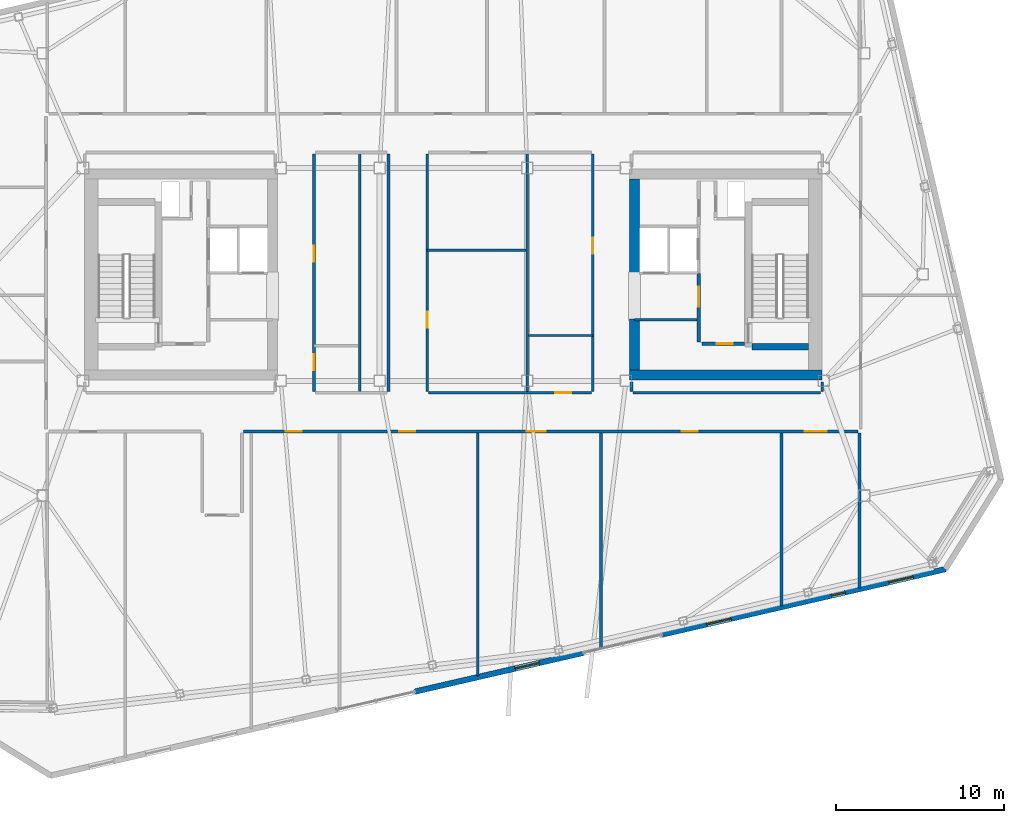
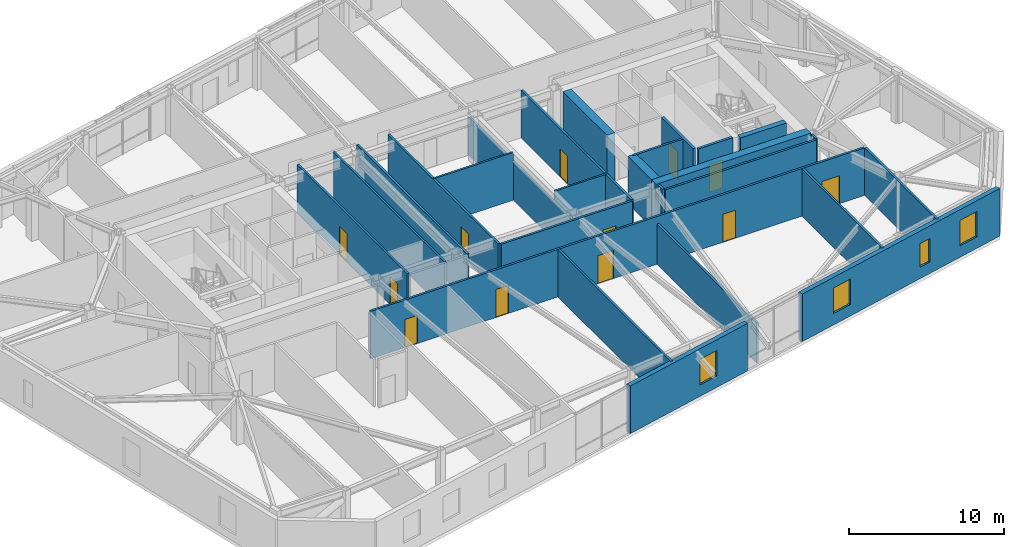
# One storey, part 17 of 24: 26 walls, 12 doors, 4 windows, 16 openings.
"""IFC4 building model written with IfcOpenShell, lengths in metres."""

from ifc_helpers import new_model, si_unit, direction, frame, frame_2d, origin, place, context, subcontext, project, spatial, rectangle, extrude, material, layer, layer_set, type_object, element, fill, save


model = new_model("IFC4")

# Units and contexts
model_context = context("Model", 3, precision=1e-05, world=origin(), true_north=direction((0.0, 1.0)))
body_context = subcontext(model_context, "Body", "Model", "MODEL_VIEW")
ifc_project = project(units=[si_unit("LENGTHUNIT", "METRE"), si_unit("AREAUNIT", "SQUARE_METRE"), si_unit("VOLUMEUNIT", "CUBIC_METRE"), si_unit("PLANEANGLEUNIT", "RADIAN"), si_unit("MASSUNIT", "GRAM", prefix="KILO")], contexts=[model_context])

# Site, building, storey
site_placement = place(None, origin())
site = spatial("IfcSite", under=ifc_project, at=site_placement, CompositionType="ELEMENT")
building_placement = place(site_placement, origin())
building = spatial("IfcBuilding", under=site, at=building_placement, Name="Tavrogorsk Clinical Tower", CompositionType="ELEMENT")
storey_placement = place(building_placement, frame((0.0, 0.0, 321.0)))
storey = spatial("IfcBuildingStorey", under=building, at=storey_placement, Name="L75", CompositionType="ELEMENT", Elevation=321.0)

# Wall, opening, door
ifc_material_1 = material(Name="Concrete B60", Category="concrete")
ifc_layer_1 = layer(ifc_material_1, 0.199951171875)
ifc_layer_set_1 = layer_set([ifc_layer_1], Name="Concrete B60")
wall_type_1 = type_object("IfcWallType", Name="CoreFireWall_200", PredefinedType="SOLIDWALL", material=ifc_layer_set_1)
wall_1_placement = place(storey_placement, frame((14.824951171875, -4.139892578125, 0.0), z_axis=(0.0, 0.0, 1.0), x_axis=(1.0, 0.0, 0.0)))
wall_1 = element("IfcWall", 1, at=wall_1_placement, inside=storey, type_object=wall_type_1, Name="L75 Core East South Core Room Fire Wall", PredefinedType="SOLIDWALL", context=body_context, shape_type="SweptSolid", body=[
    extrude(rectangle(XDim=2.554931640625, YDim=0.199951171875, at=frame_2d((1.27734375, 0.0))), origin(), (0.0, 0.0, 1.0), 3.739990234375),
])
opening_1_placement = place(wall_1_placement, frame((0.8798828125, 0.0, 0.0)))
opening_1 = element("IfcOpeningElement", 2, at=opening_1_placement, cuts=wall_1, Name="Opening ID-02", PredefinedType="OPENING", context=body_context, shape_type="SweptSolid", body=[
    extrude(rectangle(XDim=0.949951171875, YDim=2.199951171875, at=frame_2d((0.47509765625, 1.10009765625))), frame((0.0, 0.10986328125, 0.0), z_axis=(0.0, -1.0, 0.0), x_axis=(1.0, 0.0, 0.0)), (0.0, 0.0, 1.0), 0.219970703125),
])
ifc_material_2 = material(Name="Laminated timber leaf on aluminium frame", Category="wood")
door_type_1 = type_object("IfcDoorType", Name="InteriorDoor_ID02_950", OperationType="NOTDEFINED", PredefinedType="DOOR", material=ifc_material_2)
door_1_placement = place(opening_1_placement, origin())
door_1 = element("IfcDoor", 3, at=door_1_placement, inside=storey, type_object=door_type_1, Name="L75 Core East South Core Room Door", OperationType="SINGLE_SWING_RIGHT", OverallHeight=2.199951171875, OverallWidth=0.949951171875, PredefinedType="DOOR", context=body_context, shape_type="SweptSolid", body=[
    extrude(rectangle(XDim=0.949951171875, YDim=2.199951171875, at=frame_2d((0.47509765625, 1.10009765625))), frame((0.0, 0.02490234375, 0.0), z_axis=(0.0, -1.0, 0.0), x_axis=(1.0, 0.0, 0.0)), (0.0, 0.0, 1.0), 0.050048828125),
])
fill(opening_1, door_1)

wall_2_placement = place(storey_placement, frame((14.639892578125, -4.034912109375, 0.0), z_axis=(0.0, 0.0, 1.0), x_axis=(0.0, 1.0, 0.0)))
wall_2 = element("IfcWall", 4, at=wall_2_placement, inside=storey, type_object=wall_type_1, Name="L75 Core East Firefighting Lobby Fire Wall", PredefinedType="SOLIDWALL", context=body_context, shape_type="SweptSolid", body=[
    extrude(rectangle(XDim=4.074951171875, YDim=0.199951171875, at=frame_2d((2.03759765625, 0.0))), origin(), (0.0, 0.0, 1.0), 3.739990234375),
])
opening_2_placement = place(wall_2_placement, frame((2.090087890625, 0.0, 0.0)))
opening_2 = element("IfcOpeningElement", 5, at=opening_2_placement, cuts=wall_2, Name="Opening FD-01", PredefinedType="OPENING", context=body_context, shape_type="SweptSolid", body=[
    extrude(rectangle(XDim=1.199951171875, YDim=2.199951171875, at=frame_2d((0.60009765625, 1.10009765625))), frame((0.0, 0.10986328125, 0.0), z_axis=(0.0, -1.0, 0.0), x_axis=(1.0, 0.0, 0.0)), (0.0, 0.0, 1.0), 0.219970703125),
])
ifc_material_3 = material(Name="Galvanised steel fire-rated door assembly", Category="steel")
door_type_2 = type_object("IfcDoorType", Name="FireDoor_FD01_1200", OperationType="NOTDEFINED", PredefinedType="DOOR", material=ifc_material_3)
door_2_placement = place(opening_2_placement, origin())
door_2 = element("IfcDoor", 6, at=door_2_placement, inside=storey, type_object=door_type_2, Name="L75 Core East Firefighting Lobby Entry Door", OperationType="SINGLE_SWING_RIGHT", OverallHeight=2.199951171875, OverallWidth=1.199951171875, PredefinedType="DOOR", context=body_context, shape_type="SweptSolid", body=[
    extrude(rectangle(XDim=1.199951171875, YDim=2.199951171875, at=frame_2d((0.60009765625, 1.10009765625))), frame((0.0, 0.02490234375, 0.0), z_axis=(0.0, -1.0, 0.0), x_axis=(1.0, 0.0, 0.0)), (0.0, 0.0, 1.0), 0.050048828125),
])
fill(opening_2, door_2)

# Walls
ifc_material_4 = material(Name="Lightweight concrete blockwork B15", Category="masonry")
ifc_layer_2 = layer(ifc_material_4, 0.139892578125)
ifc_layer_set_2 = layer_set([ifc_layer_2], Name="Lightweight concrete blockwork B15")
wall_type_2 = type_object("IfcWallType", Name="PartitionWall_140", PredefinedType="PARTITIONING", material=ifc_layer_set_2)
wall_3_placement = place(storey_placement, frame((-5.60009765625, -7.06494140625, 0.0), z_axis=(0.0, 0.0, 1.0), x_axis=(0.0, 1.0, 0.0)))
element("IfcWall", 7, at=wall_3_placement, inside=storey, type_object=wall_type_2, Name="L75 Central Spine Partition 1", PredefinedType="PARTITIONING", context=body_context, shape_type="SweptSolid", body=[
    extrude(rectangle(XDim=14.329833984375, YDim=0.139892578125, at=frame_2d((7.1650390625, 0.0))), origin(), (0.0, 0.0, 1.0), 3.739990234375),
])
wall_4_placement = place(storey_placement, frame((4.39990234375, -7.06494140625, 0.0), z_axis=(0.0, 0.0, 1.0), x_axis=(0.0, 1.0, 0.0)))
element("IfcWall", 8, at=wall_4_placement, inside=storey, type_object=wall_type_2, Name="L75 Central Spine Partition 2", PredefinedType="PARTITIONING", context=body_context, shape_type="SweptSolid", body=[
    extrude(rectangle(XDim=14.329833984375, YDim=0.139892578125, at=frame_2d((7.1650390625, 0.0))), origin(), (0.0, 0.0, 1.0), 3.034912109375),
])
wall_5_placement = place(storey_placement, frame((-1.56494140625, 1.449951171875, 0.0), z_axis=(0.0, 0.0, 1.0), x_axis=(1.0, 0.0, 0.0)))
element("IfcWall", 9, at=wall_5_placement, inside=storey, type_object=wall_type_2, Name="L75 Central Spine Partition 3", PredefinedType="PARTITIONING", context=body_context, shape_type="SweptSolid", body=[
    extrude(rectangle(XDim=5.889892578125, YDim=0.139892578125, at=frame_2d((2.94482421875, 0.0))), origin(), (0.0, 0.0, 1.0), 3.739990234375),
])
wall_6_placement = place(storey_placement, frame((4.47509765625, -3.64990234375, 0.0), z_axis=(0.0, 0.0, 1.0), x_axis=(1.0, 0.0, 0.0)))
element("IfcWall", 10, at=wall_6_placement, inside=storey, type_object=wall_type_2, Name="L75 Central Spine Partition 5", PredefinedType="PARTITIONING", context=body_context, shape_type="SweptSolid", body=[
    extrude(rectangle(XDim=3.83984375, YDim=0.139892578125, at=frame_2d((1.919921875, 0.0))), origin(), (0.0, 0.0, 1.0), 3.739990234375),
])
ifc_material_5 = material(Name="Lightweight concrete blockwork B15", Category="masonry")
ifc_layer_3 = layer(ifc_material_5, 0.159912109375)
ifc_layer_set_3 = layer_set([ifc_layer_3], Name="Lightweight concrete blockwork B15")
wall_type_3 = type_object("IfcWallType", Name="PartitionWall_160", PredefinedType="PARTITIONING", material=ifc_layer_set_3)
wall_7_placement = place(storey_placement, frame((10.800048828125, -2.699951171875, 0.0), z_axis=(0.0, 0.0, 1.0), x_axis=(1.0, 0.0, 0.0)))
element("IfcWall", 11, at=wall_7_placement, inside=storey, type_object=wall_type_3, Name="L75 Core East Freed Mid-Bank North Partition", PredefinedType="PARTITIONING", context=body_context, shape_type="SweptSolid", body=[
    extrude(rectangle(XDim=3.73486328125, YDim=0.159912109375, at=frame_2d((1.867431640625, 0.0))), origin(), (0.0, 0.0, 1.0), 3.739990234375),
])

# Wall, openings, doors
wall_8_placement = place(storey_placement, frame((24.14501953125, -9.3798828125, 0.0), z_axis=(0.0, 0.0, 1.0), x_axis=(-1.0, 0.0, 0.0)))
wall_8 = element("IfcWall", 12, at=wall_8_placement, inside=storey, type_object=wall_type_3, Name="L75 Corridor Partition 04", PredefinedType="PARTITIONING", context=body_context, shape_type="SweptSolid", body=[
    extrude(rectangle(XDim=36.679931640625, YDim=0.159912109375, at=frame_2d((18.33984375, 0.0))), origin(), (0.0, 0.0, 1.0), 3.739990234375),
])
opening_3_placement = place(wall_8_placement, frame((33.18994140625, 0.0, 0.0)))
opening_3 = element("IfcOpeningElement", 13, at=opening_3_placement, cuts=wall_8, Name="Opening ID-02", PredefinedType="OPENING", context=body_context, shape_type="SweptSolid", body=[
    extrude(rectangle(XDim=0.949951171875, YDim=2.199951171875, at=frame_2d((0.47509765625, 1.10009765625))), frame((0.0, 0.08984375, 0.0), z_axis=(0.0, -1.0, 0.0), x_axis=(1.0, 0.0, 0.0)), (0.0, 0.0, 1.0), 0.179931640625),
])
opening_4_placement = place(wall_8_placement, frame((26.429931640625, 0.0, 0.0)))
opening_4 = element("IfcOpeningElement", 14, at=opening_4_placement, cuts=wall_8, Name="Opening ID-02", PredefinedType="OPENING", context=body_context, shape_type="SweptSolid", body=[
    extrude(rectangle(XDim=0.949951171875, YDim=2.199951171875, at=frame_2d((0.47509765625, 1.10009765625))), frame((0.0, 0.08984375, 0.0), z_axis=(0.0, -1.0, 0.0), x_axis=(1.0, 0.0, 0.0)), (0.0, 0.0, 1.0), 0.179931640625),
])
opening_5_placement = place(wall_8_placement, frame((18.6298828125, 0.0, 0.0)))
opening_5 = element("IfcOpeningElement", 15, at=opening_5_placement, cuts=wall_8, Name="Opening ID-06", PredefinedType="OPENING", context=body_context, shape_type="SweptSolid", body=[
    extrude(rectangle(XDim=1.14990234375, YDim=2.199951171875, at=frame_2d((0.574951171875, 1.10009765625))), frame((0.0, 0.08984375, 0.0), z_axis=(0.0, -1.0, 0.0), x_axis=(1.0, 0.0, 0.0)), (0.0, 0.0, 1.0), 0.179931640625),
])
opening_6_placement = place(wall_8_placement, frame((9.56494140625, 0.0, 0.0)))
opening_6 = element("IfcOpeningElement", 16, at=opening_6_placement, cuts=wall_8, Name="Opening ID-02", PredefinedType="OPENING", context=body_context, shape_type="SweptSolid", body=[
    extrude(rectangle(XDim=0.949951171875, YDim=2.199951171875, at=frame_2d((0.47509765625, 1.10009765625))), frame((0.0, 0.08984375, 0.0), z_axis=(0.0, -1.0, 0.0), x_axis=(1.0, 0.0, 0.0)), (0.0, 0.0, 1.0), 0.179931640625),
])
opening_7_placement = place(wall_8_placement, frame((1.869140625, 0.0, 0.0)))
opening_7 = element("IfcOpeningElement", 17, at=opening_7_placement, cuts=wall_8, Name="Opening ID-01", PredefinedType="OPENING", context=body_context, shape_type="SweptSolid", body=[
    extrude(rectangle(XDim=1.300048828125, YDim=2.199951171875, at=frame_2d((0.64990234375, 1.10009765625))), frame((0.0, 0.08984375, 0.0), z_axis=(0.0, -1.0, 0.0), x_axis=(1.0, 0.0, 0.0)), (0.0, 0.0, 1.0), 0.179931640625),
])
door_3_placement = place(opening_3_placement, origin())
door_3 = element("IfcDoor", 18, at=door_3_placement, inside=storey, type_object=door_type_1, Name="L75 South Clinical Case Seminar Room 02B Door", OperationType="SINGLE_SWING_LEFT", OverallHeight=2.199951171875, OverallWidth=0.949951171875, PredefinedType="DOOR", context=body_context, shape_type="SweptSolid", body=[
    extrude(rectangle(XDim=0.949951171875, YDim=2.199951171875, at=frame_2d((0.47509765625, 1.10009765625))), frame((0.0, 0.02490234375, 0.0), z_axis=(0.0, -1.0, 0.0), x_axis=(1.0, 0.0, 0.0)), (0.0, 0.0, 1.0), 0.050048828125),
])
fill(opening_3, door_3)
door_4_placement = place(opening_4_placement, origin())
door_4 = element("IfcDoor", 19, at=door_4_placement, inside=storey, type_object=door_type_1, Name="L75 South Cardiology Diagnostics Room 03A Door", OperationType="SINGLE_SWING_RIGHT", OverallHeight=2.199951171875, OverallWidth=0.949951171875, PredefinedType="DOOR", context=body_context, shape_type="SweptSolid", body=[
    extrude(rectangle(XDim=0.949951171875, YDim=2.199951171875, at=frame_2d((0.47509765625, 1.10009765625))), frame((0.0, 0.02490234375, 0.0), z_axis=(0.0, -1.0, 0.0), x_axis=(1.0, 0.0, 0.0)), (0.0, 0.0, 1.0), 0.050048828125),
])
fill(opening_4, door_4)
door_5_placement = place(opening_6_placement, origin())
door_5 = element("IfcDoor", 20, at=door_5_placement, inside=storey, type_object=door_type_1, Name="L75 South Attending Physician Office 04 Door", OperationType="SINGLE_SWING_RIGHT", OverallHeight=2.199951171875, OverallWidth=0.949951171875, PredefinedType="DOOR", context=body_context, shape_type="SweptSolid", body=[
    extrude(rectangle(XDim=0.949951171875, YDim=2.199951171875, at=frame_2d((0.47509765625, 1.10009765625))), frame((0.0, 0.02490234375, 0.0), z_axis=(0.0, -1.0, 0.0), x_axis=(1.0, 0.0, 0.0)), (0.0, 0.0, 1.0), 0.050048828125),
])
fill(opening_6, door_5)
ifc_material_6 = material(Name="Antibacterial HPL procedure door on aluminium frame", Category="aluminium")
door_type_3 = type_object("IfcDoorType", Name="LabDoor_ID06_1150", OperationType="NOTDEFINED", PredefinedType="DOOR", material=ifc_material_6)
door_6_placement = place(opening_5_placement, origin())
door_6 = element("IfcDoor", 21, at=door_6_placement, inside=storey, type_object=door_type_3, Name="L75 South Staff Rest & Nourishment Lounge 03B Door", OperationType="SINGLE_SWING_LEFT", OverallHeight=2.199951171875, OverallWidth=1.14990234375, PredefinedType="DOOR", context=body_context, shape_type="SweptSolid", body=[
    extrude(rectangle(XDim=1.14990234375, YDim=2.199951171875, at=frame_2d((0.574951171875, 1.10009765625))), frame((0.0, 0.02490234375, 0.0), z_axis=(0.0, -1.0, 0.0), x_axis=(1.0, 0.0, 0.0)), (0.0, 0.0, 1.0), 0.050048828125),
])
fill(opening_5, door_6)
ifc_material_7 = material(Name="Antibacterial HPL medical leaf on aluminium frame", Category="aluminium")
door_type_4 = type_object("IfcDoorType", Name="WardBedDoor_ID01_1300", OperationType="NOTDEFINED", PredefinedType="DOOR", material=ifc_material_7)
door_7_placement = place(opening_7_placement, origin())
door_7 = element("IfcDoor", 22, at=door_7_placement, inside=storey, type_object=door_type_4, Name="L75 South Acute Medical Ward 05 Door", OperationType="SINGLE_SWING_LEFT", OverallHeight=2.199951171875, OverallWidth=1.300048828125, PredefinedType="DOOR", context=body_context, shape_type="SweptSolid", body=[
    extrude(rectangle(XDim=1.300048828125, YDim=2.199951171875, at=frame_2d((0.64990234375, 1.10009765625))), frame((0.0, 0.02490234375, 0.0), z_axis=(0.0, -1.0, 0.0), x_axis=(1.0, 0.0, 0.0)), (0.0, 0.0, 1.0), 0.050048828125),
])
fill(opening_7, door_7)

# Walls
wall_9_placement = place(storey_placement, frame((10.6298828125, -6.419921875, 0.0), z_axis=(0.0, 0.0, 1.0), x_axis=(0.0, -1.0, 0.0)))
element("IfcWall", 23, at=wall_9_placement, inside=storey, type_object=wall_type_3, Name="L75 Corridor Partition 11", PredefinedType="PARTITIONING", context=body_context, shape_type="SweptSolid", body=[
    extrude(rectangle(XDim=0.565185546875, YDim=0.159912109375, at=frame_2d((0.28271484375, 0.0))), origin(), (0.0, 0.0, 1.0), 3.739990234375),
])
wall_10_placement = place(storey_placement, frame((10.715087890625, -7.070068359375, 0.0), z_axis=(0.0, 0.0, 1.0), x_axis=(1.0, 0.0, 0.0)))
element("IfcWall", 24, at=wall_10_placement, inside=storey, type_object=wall_type_3, Name="L75 Corridor Partition 12", PredefinedType="PARTITIONING", context=body_context, shape_type="SweptSolid", body=[
    extrude(rectangle(XDim=11.199951171875, YDim=0.159912109375, at=frame_2d((5.60009765625, 0.0))), origin(), (0.0, 0.0, 1.0), 3.739990234375),
])
wall_11_placement = place(storey_placement, frame((22.0, -6.985107421875, 0.0), z_axis=(0.0, 0.0, 1.0), x_axis=(0.0, 1.0, 0.0)))
element("IfcWall", 25, at=wall_11_placement, inside=storey, type_object=wall_type_3, Name="L75 Corridor Partition 13", PredefinedType="PARTITIONING", context=body_context, shape_type="SweptSolid", body=[
    extrude(rectangle(XDim=0.565185546875, YDim=0.159912109375, at=frame_2d((0.28271484375, 0.0))), origin(), (0.0, 0.0, 1.0), 3.739990234375),
])

# Wall, opening, door
wall_12_placement = place(storey_placement, frame((-1.570068359375, 7.18505859375, 0.0), z_axis=(0.0, 0.0, 1.0), x_axis=(0.0, -1.0, 0.0)))
wall_12 = element("IfcWall", 26, at=wall_12_placement, inside=storey, type_object=wall_type_3, Name="L75 Corridor Partition 16", PredefinedType="PARTITIONING", context=body_context, shape_type="SweptSolid", body=[
    extrude(rectangle(XDim=14.170166015625, YDim=0.159912109375, at=frame_2d((7.0849609375, 0.0))), origin(), (0.0, 0.0, 1.0), 3.739990234375),
])
opening_8_placement = place(wall_12_placement, frame((9.410888671875, 0.0, 0.0)))
opening_8 = element("IfcOpeningElement", 27, at=opening_8_placement, cuts=wall_12, Name="Opening ID-02", PredefinedType="OPENING", context=body_context, shape_type="SweptSolid", body=[
    extrude(rectangle(XDim=0.949951171875, YDim=2.199951171875, at=frame_2d((0.47509765625, 1.10009765625))), frame((0.0, 0.08984375, 0.0), z_axis=(0.0, -1.0, 0.0), x_axis=(1.0, 0.0, 0.0)), (0.0, 0.0, 1.0), 0.179931640625),
])
door_8_placement = place(opening_8_placement, origin())
door_8 = element("IfcDoor", 28, at=door_8_placement, inside=storey, type_object=door_type_1, Name="L75 Multidisciplinary Conference Room Door", OperationType="SINGLE_SWING_RIGHT", OverallHeight=2.199951171875, OverallWidth=0.949951171875, PredefinedType="DOOR", context=body_context, shape_type="SweptSolid", body=[
    extrude(rectangle(XDim=0.949951171875, YDim=2.199951171875, at=frame_2d((0.47509765625, 1.10009765625))), frame((0.0, 0.02490234375, 0.0), z_axis=(0.0, -1.0, 0.0), x_axis=(1.0, 0.0, 0.0)), (0.0, 0.0, 1.0), 0.050048828125),
])
fill(opening_8, door_8)

wall_13_placement = place(storey_placement, frame((-1.485107421875, -7.070068359375, 0.0), z_axis=(0.0, 0.0, 1.0), x_axis=(1.0, 0.0, 0.0)))
wall_13 = element("IfcWall", 29, at=wall_13_placement, inside=storey, type_object=wall_type_3, Name="L75 Corridor Partition 17", PredefinedType="PARTITIONING", context=body_context, shape_type="SweptSolid", body=[
    extrude(rectangle(XDim=9.72021484375, YDim=0.159912109375, at=frame_2d((4.860107421875, 0.0))), origin(), (0.0, 0.0, 1.0), 3.739990234375),
])
opening_9_placement = place(wall_13_placement, frame((7.560791015625, 0.0, 0.0)))
opening_9 = element("IfcOpeningElement", 30, at=opening_9_placement, cuts=wall_13, Name="Opening ID-02", PredefinedType="OPENING", context=body_context, shape_type="SweptSolid", body=[
    extrude(rectangle(XDim=0.949951171875, YDim=2.199951171875, at=frame_2d((0.47509765625, 1.10009765625))), frame((0.0, 0.08984375, 0.0), z_axis=(0.0, -1.0, 0.0), x_axis=(1.0, 0.0, 0.0)), (0.0, 0.0, 1.0), 0.179931640625),
])
door_9_placement = place(opening_9_placement, origin())
door_9 = element("IfcDoor", 31, at=door_9_placement, inside=storey, type_object=door_type_1, Name="L75 Staff & Visitor Accessible WC Door", OperationType="SINGLE_SWING_RIGHT", OverallHeight=2.199951171875, OverallWidth=0.949951171875, PredefinedType="DOOR", context=body_context, shape_type="SweptSolid", body=[
    extrude(rectangle(XDim=0.949951171875, YDim=2.199951171875, at=frame_2d((0.47509765625, 1.10009765625))), frame((0.0, 0.02490234375, 0.0), z_axis=(0.0, -1.0, 0.0), x_axis=(1.0, 0.0, 0.0)), (0.0, 0.0, 1.0), 0.050048828125),
])
fill(opening_9, door_9)

wall_14_placement = place(storey_placement, frame((8.320068359375, -6.985107421875, 0.0), z_axis=(0.0, 0.0, 1.0), x_axis=(0.0, 1.0, 0.0)))
wall_14 = element("IfcWall", 32, at=wall_14_placement, inside=storey, type_object=wall_type_3, Name="L75 Corridor Partition 18", PredefinedType="PARTITIONING", context=body_context, shape_type="SweptSolid", body=[
    extrude(rectangle(XDim=14.170166015625, YDim=0.159912109375, at=frame_2d((7.0849609375, 0.0))), origin(), (0.0, 0.0, 1.0), 3.739990234375),
])
opening_10_placement = place(wall_14_placement, frame((8.2109375, 0.0, 0.0)))
opening_10 = element("IfcOpeningElement", 33, at=opening_10_placement, cuts=wall_14, Name="Opening ID-02", PredefinedType="OPENING", context=body_context, shape_type="SweptSolid", body=[
    extrude(rectangle(XDim=0.949951171875, YDim=2.199951171875, at=frame_2d((0.47509765625, 1.10009765625))), frame((0.0, 0.08984375, 0.0), z_axis=(0.0, -1.0, 0.0), x_axis=(1.0, 0.0, 0.0)), (0.0, 0.0, 1.0), 0.179931640625),
])
door_10_placement = place(opening_10_placement, origin())
door_10 = element("IfcDoor", 34, at=door_10_placement, inside=storey, type_object=door_type_1, Name="L75 Attending Physician Office Door", OperationType="SINGLE_SWING_LEFT", OverallHeight=2.199951171875, OverallWidth=0.949951171875, PredefinedType="DOOR", context=body_context, shape_type="SweptSolid", body=[
    extrude(rectangle(XDim=0.949951171875, YDim=2.199951171875, at=frame_2d((0.47509765625, 1.10009765625))), frame((0.0, 0.02490234375, 0.0), z_axis=(0.0, -1.0, 0.0), x_axis=(1.0, 0.0, 0.0)), (0.0, 0.0, 1.0), 0.050048828125),
])
fill(opening_10, door_10)

# Wall
wall_15_placement = place(storey_placement, frame((-3.8798828125, -6.985107421875, 0.0), z_axis=(0.0, 0.0, 1.0), x_axis=(0.0, 1.0, 0.0)))
element("IfcWall", 35, at=wall_15_placement, inside=storey, type_object=wall_type_3, Name="L75 Corridor Partition 19", PredefinedType="PARTITIONING", context=body_context, shape_type="SweptSolid", body=[
    extrude(rectangle(XDim=14.170166015625, YDim=0.159912109375, at=frame_2d((7.0849609375, 0.0))), origin(), (0.0, 0.0, 1.0), 3.739990234375),
])

# Wall, openings, doors
wall_16_placement = place(storey_placement, frame((-8.320068359375, 7.18505859375, 0.0), z_axis=(0.0, 0.0, 1.0), x_axis=(0.0, -1.0, 0.0)))
wall_16 = element("IfcWall", 36, at=wall_16_placement, inside=storey, type_object=wall_type_3, Name="L75 Corridor Partition 21", PredefinedType="PARTITIONING", context=body_context, shape_type="SweptSolid", body=[
    extrude(rectangle(XDim=14.170166015625, YDim=0.159912109375, at=frame_2d((7.0849609375, 0.0))), origin(), (0.0, 0.0, 1.0), 3.739990234375),
])
opening_11_placement = place(wall_16_placement, frame((11.9609375, 0.0, 0.0)))
opening_11 = element("IfcOpeningElement", 37, at=opening_11_placement, cuts=wall_16, Name="Opening ID-02", PredefinedType="OPENING", context=body_context, shape_type="SweptSolid", body=[
    extrude(rectangle(XDim=0.949951171875, YDim=2.199951171875, at=frame_2d((0.47509765625, 1.10009765625))), frame((0.0, 0.08984375, 0.0), z_axis=(0.0, -1.0, 0.0), x_axis=(1.0, 0.0, 0.0)), (0.0, 0.0, 1.0), 0.179931640625),
])
opening_12_placement = place(wall_16_placement, frame((5.47900390625, 0.0, 0.0)))
opening_12 = element("IfcOpeningElement", 38, at=opening_12_placement, cuts=wall_16, Name="Opening ID-02", PredefinedType="OPENING", context=body_context, shape_type="SweptSolid", body=[
    extrude(rectangle(XDim=0.949951171875, YDim=2.199951171875, at=frame_2d((0.47509765625, 1.10009765625))), frame((0.0, 0.08984375, 0.0), z_axis=(0.0, -1.0, 0.0), x_axis=(1.0, 0.0, 0.0)), (0.0, 0.0, 1.0), 0.179931640625),
])
door_11_placement = place(opening_11_placement, origin())
door_11 = element("IfcDoor", 39, at=door_11_placement, inside=storey, type_object=door_type_1, Name="L75 Accessible Patient Lavatory Door", OperationType="SINGLE_SWING_RIGHT", OverallHeight=2.199951171875, OverallWidth=0.949951171875, PredefinedType="DOOR", context=body_context, shape_type="SweptSolid", body=[
    extrude(rectangle(XDim=0.949951171875, YDim=2.199951171875, at=frame_2d((0.47509765625, 1.10009765625))), frame((0.0, 0.02490234375, 0.0), z_axis=(0.0, -1.0, 0.0), x_axis=(1.0, 0.0, 0.0)), (0.0, 0.0, 1.0), 0.050048828125),
])
fill(opening_11, door_11)
door_12_placement = place(opening_12_placement, origin())
door_12 = element("IfcDoor", 40, at=door_12_placement, inside=storey, type_object=door_type_1, Name="L75 Ward Nourishment Pantry Door", OperationType="SINGLE_SWING_LEFT", OverallHeight=2.199951171875, OverallWidth=0.949951171875, PredefinedType="DOOR", context=body_context, shape_type="SweptSolid", body=[
    extrude(rectangle(XDim=0.949951171875, YDim=2.199951171875, at=frame_2d((0.47509765625, 1.10009765625))), frame((0.0, 0.02490234375, 0.0), z_axis=(0.0, -1.0, 0.0), x_axis=(1.0, 0.0, 0.0)), (0.0, 0.0, 1.0), 0.050048828125),
])
fill(opening_12, door_12)

# Walls
wall_17_placement = place(storey_placement, frame((24.22998046875, -18.702880859375, 0.0), z_axis=(0.0, 0.0, 1.0), x_axis=(0.0, 1.0, 0.0)))
element("IfcWall", 41, at=wall_17_placement, inside=storey, type_object=wall_type_3, Name="L75 SE Wing Closure Partition", PredefinedType="PARTITIONING", context=body_context, shape_type="SweptSolid", body=[
    extrude(rectangle(XDim=9.23779296875, YDim=0.159912109375, at=frame_2d((4.618896484375, 0.0))), origin(), (0.0, 0.0, 1.0), 3.739990234375),
])
wall_18_placement = place(storey_placement, frame((8.800048828125, -22.26513671875, 0.0), z_axis=(0.0, 0.0, 1.0), x_axis=(0.0, 1.0, 0.0)))
element("IfcWall", 42, at=wall_18_placement, inside=storey, type_object=wall_type_3, Name="L75 South Room Partition 3", PredefinedType="PARTITIONING", context=body_context, shape_type="SweptSolid", body=[
    extrude(rectangle(XDim=12.800048828125, YDim=0.159912109375, at=frame_2d((6.39990234375, 0.0))), origin(), (0.0, 0.0, 1.0), 3.1650390625),
])
wall_19_placement = place(storey_placement, frame((19.580078125, -19.7763671875, 0.0), z_axis=(0.0, 0.0, 1.0), x_axis=(0.0, 1.0, 0.0)))
element("IfcWall", 43, at=wall_19_placement, inside=storey, type_object=wall_type_3, Name="L75 South Room Partition 4", PredefinedType="PARTITIONING", context=body_context, shape_type="SweptSolid", body=[
    extrude(rectangle(XDim=10.311279296875, YDim=0.159912109375, at=frame_2d((5.15576171875, 0.0))), origin(), (0.0, 0.0, 1.0), 3.739990234375),
])
wall_20_placement = place(storey_placement, frame((1.449951171875, -23.9619140625, 0.0), z_axis=(0.0, 0.0, 1.0), x_axis=(0.0, 1.0, 0.0)))
element("IfcWall", 44, at=wall_20_placement, inside=storey, type_object=wall_type_3, Name="L75 South Sub-Partition 3", PredefinedType="PARTITIONING", context=body_context, shape_type="SweptSolid", body=[
    extrude(rectangle(XDim=14.496826171875, YDim=0.159912109375, at=frame_2d((7.24853515625, 0.0))), origin(), (0.0, 0.0, 1.0), 3.739990234375),
])

# Wall, opening, window
ifc_material_8 = material(Name="Precast concrete B45 with limestone cladding", Category="masonry")
ifc_layer_4 = layer(ifc_material_8, 0.340087890625)
ifc_layer_set_4 = layer_set([ifc_layer_4], Name="Precast concrete B45 with limestone cladding")
wall_type_4 = type_object("IfcWallType", Name="PrecastLimestoneWall_340", PredefinedType="STANDARD", material=ifc_layer_set_4)
wall_21_placement = place(storey_placement, frame((-2.294921875, -24.8984375, 0.0), z_axis=(0.0, 0.0, 1.0), x_axis=(0.974370872906, 0.224947553958, 0.0)))
wall_21 = element("IfcWall", 45, at=wall_21_placement, inside=storey, type_object=wall_type_4, Name="L75 S Limestone Facade Wall 2", PredefinedType="STANDARD", context=body_context, shape_type="SweptSolid", body=[
    extrude(rectangle(XDim=10.327880859375, YDim=0.340087890625, at=frame_2d((5.1640625, 0.0))), origin(), (0.0, 0.0, 1.0), 3.739990234375),
])
opening_13_placement = place(wall_21_placement, frame((6.124267578125, 0.0, 0.89990234375)))
opening_13 = element("IfcOpeningElement", 46, at=opening_13_placement, cuts=wall_21, Name="Opening WN-05", PredefinedType="OPENING", context=body_context, shape_type="SweptSolid", body=[
    extrude(rectangle(XDim=1.5, YDim=2.0, at=frame_2d((0.75, 1.0))), frame((0.0, 0.179931640625, 0.0), z_axis=(0.0, -1.0, 0.0), x_axis=(1.0, 0.0, 0.0)), (0.0, 0.0, 1.0), 0.360107421875),
])
ifc_material_9 = material(Name="Thermally broken aluminium frame and triple IGU", Category="aluminium")
window_type_1 = type_object("IfcWindowType", Name="ConsultWin_1500x2000", PartitioningType="SINGLE_PANEL", PredefinedType="WINDOW", material=ifc_material_9)
window_1_placement = place(opening_13_placement, origin())
window_1 = element("IfcWindow", 47, at=window_1_placement, inside=storey, type_object=window_type_1, Name="L75 S Chicago Window 06", OverallHeight=2.0, OverallWidth=1.5, PartitioningType="SINGLE_PANEL", PredefinedType="WINDOW", context=body_context, shape_type="SweptSolid", body=[
    extrude(rectangle(XDim=1.5, YDim=2.0, at=frame_2d((0.75, 1.0))), frame((0.0, 0.030029296875, 0.0), z_axis=(0.0, -1.0, 0.0), x_axis=(1.0, 0.0, 0.0)), (0.0, 0.0, 1.0), 0.06005859375),
])
fill(opening_13, window_1)

# Wall, openings, windows
wall_22_placement = place(storey_placement, frame((12.4453125, -21.495361328125, 0.0), z_axis=(0.0, 0.0, 1.0), x_axis=(0.974369392164, 0.224953967767, 0.0)))
wall_22 = element("IfcWall", 48, at=wall_22_placement, inside=storey, type_object=wall_type_4, Name="L75 S Limestone Facade Wall 3", PredefinedType="STANDARD", context=body_context, shape_type="SweptSolid", body=[
    extrude(rectangle(XDim=17.36572265625, YDim=0.340087890625, at=frame_2d((8.682861328125, 0.0))), origin(), (0.0, 0.0, 1.0), 3.739990234375),
])
opening_14_placement = place(wall_22_placement, frame((2.728515625, 0.0, 0.89990234375)))
opening_14 = element("IfcOpeningElement", 49, at=opening_14_placement, cuts=wall_22, Name="Opening WN-05", PredefinedType="OPENING", context=body_context, shape_type="SweptSolid", body=[
    extrude(rectangle(XDim=1.5, YDim=2.0, at=frame_2d((0.75, 1.0))), frame((0.0, 0.179931640625, 0.0), z_axis=(0.0, -1.0, 0.0), x_axis=(1.0, 0.0, 0.0)), (0.0, 0.0, 1.0), 0.360107421875),
])
opening_15_placement = place(wall_22_placement, frame((10.36279296875, 0.0, 0.89990234375)))
opening_15 = element("IfcOpeningElement", 50, at=opening_15_placement, cuts=wall_22, Name="Opening WN-06", PredefinedType="OPENING", context=body_context, shape_type="SweptSolid", body=[
    extrude(rectangle(XDim=0.85009765625, YDim=1.85009765625, at=frame_2d((0.425048828125, 0.925048828125))), frame((0.0, 0.179931640625, 0.0), z_axis=(0.0, -1.0, 0.0), x_axis=(1.0, 0.0, 0.0)), (0.0, 0.0, 1.0), 0.360107421875),
])
opening_16_placement = place(wall_22_placement, frame((13.87451171875, 0.0, 0.89990234375)))
opening_16 = element("IfcOpeningElement", 51, at=opening_16_placement, cuts=wall_22, Name="Opening WN-05", PredefinedType="OPENING", context=body_context, shape_type="SweptSolid", body=[
    extrude(rectangle(XDim=1.5, YDim=2.0, at=frame_2d((0.75, 1.0))), frame((0.0, 0.179931640625, 0.0), z_axis=(0.0, -1.0, 0.0), x_axis=(1.0, 0.0, 0.0)), (0.0, 0.0, 1.0), 0.360107421875),
])
window_2_placement = place(opening_14_placement, origin())
window_2 = element("IfcWindow", 52, at=window_2_placement, inside=storey, type_object=window_type_1, Name="L75 S Chicago Window 07", OverallHeight=2.0, OverallWidth=1.5, PartitioningType="SINGLE_PANEL", PredefinedType="WINDOW", context=body_context, shape_type="SweptSolid", body=[
    extrude(rectangle(XDim=1.5, YDim=2.0, at=frame_2d((0.75, 1.0))), frame((0.0, 0.030029296875, 0.0), z_axis=(0.0, -1.0, 0.0), x_axis=(1.0, 0.0, 0.0)), (0.0, 0.0, 1.0), 0.06005859375),
])
fill(opening_14, window_2)
window_3_placement = place(opening_16_placement, origin())
window_3 = element("IfcWindow", 53, at=window_3_placement, inside=storey, type_object=window_type_1, Name="L75 S Chicago Window 10", OverallHeight=2.0, OverallWidth=1.5, PartitioningType="SINGLE_PANEL", PredefinedType="WINDOW", context=body_context, shape_type="SweptSolid", body=[
    extrude(rectangle(XDim=1.5, YDim=2.0, at=frame_2d((0.75, 1.0))), frame((0.0, 0.030029296875, 0.0), z_axis=(0.0, -1.0, 0.0), x_axis=(1.0, 0.0, 0.0)), (0.0, 0.0, 1.0), 0.06005859375),
])
fill(opening_16, window_3)
ifc_material_10 = material(Name="Thermally broken aluminium frame and triple IGU", Category="aluminium")
window_type_2 = type_object("IfcWindowType", Name="MullionSubWin_850x1850", PartitioningType="SINGLE_PANEL", PredefinedType="WINDOW", material=ifc_material_10)
window_4_placement = place(opening_15_placement, origin())
window_4 = element("IfcWindow", 54, at=window_4_placement, inside=storey, type_object=window_type_2, Name="L75 S Mullion Split Window 09A", OverallHeight=1.85009765625, OverallWidth=0.85009765625, PartitioningType="SINGLE_PANEL", PredefinedType="WINDOW", context=body_context, shape_type="SweptSolid", body=[
    extrude(rectangle(XDim=0.85009765625, YDim=1.85009765625, at=frame_2d((0.425048828125, 0.925048828125))), frame((0.0, 0.030029296875, 0.0), z_axis=(0.0, -1.0, 0.0), x_axis=(1.0, 0.0, 0.0)), (0.0, 0.0, 1.0), 0.06005859375),
])
fill(opening_15, window_4)

# Walls
ifc_material_11 = material(Name="Concrete B80", Category="concrete")
ifc_layer_5 = layer(ifc_material_11, 0.39990234375)
ifc_layer_set_5 = layer_set([ifc_layer_5], Name="Concrete B80")
wall_type_5 = type_object("IfcWallType", Name="ShearWall_400", PredefinedType="SHEAR", material=ifc_layer_set_5)
wall_23_placement = place(storey_placement, frame((17.800048828125, -4.324951171875, 0.0), z_axis=(0.0, 0.0, 1.0), x_axis=(1.0, 0.0, 0.0)))
element("IfcWall", 55, at=wall_23_placement, inside=storey, type_object=wall_type_5, Name="L75 Core East Stair Shaft South Shear Wall", PredefinedType="SHEAR", context=body_context, shape_type="SweptSolid", body=[
    extrude(rectangle(XDim=3.39990234375, YDim=0.39990234375, at=frame_2d((1.699951171875, 0.0))), origin(), (0.0, 0.0, 1.0), 3.739990234375),
])
ifc_material_12 = material(Name="Concrete B80", Category="concrete")
ifc_layer_6 = layer(ifc_material_12, 0.60009765625)
ifc_layer_set_6 = layer_set([ifc_layer_6], Name="Concrete B80")
wall_type_6 = type_object("IfcWallType", Name="ShearWall_600", PredefinedType="SHEAR", material=ifc_layer_set_6)
wall_24_placement = place(storey_placement, frame((10.5, -6.0, 0.0), z_axis=(0.0, 0.0, 1.0), x_axis=(1.0, 0.0, 0.0)))
element("IfcWall", 56, at=wall_24_placement, inside=storey, type_object=wall_type_6, Name="L75 Core East South Shear Wall", PredefinedType="SHEAR", context=body_context, shape_type="SweptSolid", body=[
    extrude(rectangle(XDim=11.5, YDim=0.60009765625, at=frame_2d((5.75, 0.0))), origin(), (0.0, 0.0, 1.0), 3.739990234375),
])
wall_25_placement = place(storey_placement, frame((10.800048828125, -5.699951171875, 0.0), z_axis=(0.0, 0.0, 1.0), x_axis=(0.0, 1.0, 0.0)))
element("IfcWall", 57, at=wall_25_placement, inside=storey, type_object=wall_type_6, Name="L75 Core East Inner South Pier", PredefinedType="SHEAR", context=body_context, shape_type="SweptSolid", body=[
    extrude(rectangle(XDim=3.050048828125, YDim=0.60009765625, at=frame_2d((1.52490234375, 0.0))), origin(), (0.0, 0.0, 1.0), 3.739990234375),
])
wall_26_placement = place(storey_placement, frame((10.800048828125, 0.050048828125, 0.0), z_axis=(0.0, 0.0, 1.0), x_axis=(0.0, 1.0, 0.0)))
element("IfcWall", 58, at=wall_26_placement, inside=storey, type_object=wall_type_6, Name="L75 Core East Inner North Pier", PredefinedType="SHEAR", context=body_context, shape_type="SweptSolid", body=[
    extrude(rectangle(XDim=5.64990234375, YDim=0.60009765625, at=frame_2d((2.824951171875, 0.0))), origin(), (0.0, 0.0, 1.0), 3.739990234375),
])

save(model, "model.ifc")
